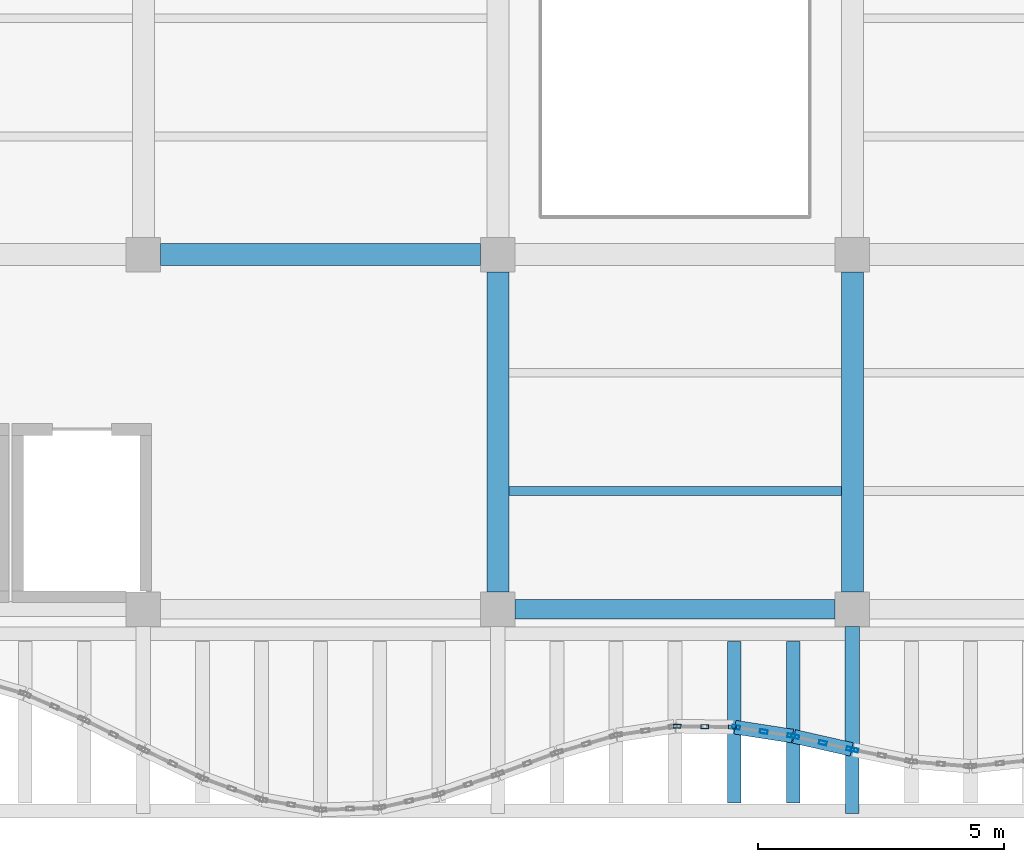
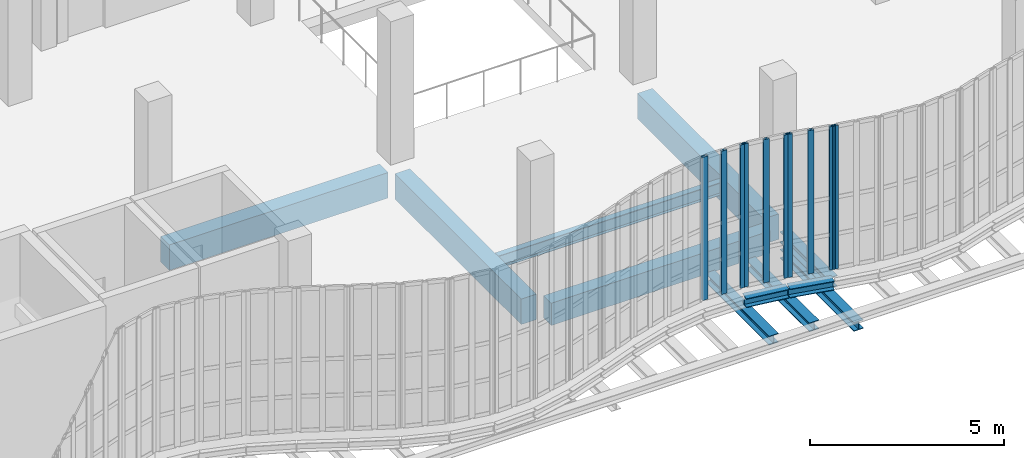
# One storey, part 31 of 108: 11 beams, 10 members, 4 elements without a shape of their own.
"""IFC4 building model written with IfcOpenShell, lengths in metres."""

from ifc_helpers import new_model, si_unit, direction, frame, origin, origin_2d, place, context, subcontext, project, spatial, rectangle, hollow_rectangle, i_section, extrude, material, layer, layer_set, material_profile, profile_set, type_object, element, aggregate, save


model = new_model("IFC4")

# Units and contexts
model_context = context("Model", 3, precision=1e-05, world=origin(), true_north=direction((0.0, 1.0)))
body_context = subcontext(model_context, "Body", "Model", "MODEL_VIEW")
ifc_project = project(units=[si_unit("LENGTHUNIT", "METRE"), si_unit("AREAUNIT", "SQUARE_METRE"), si_unit("VOLUMEUNIT", "CUBIC_METRE"), si_unit("PLANEANGLEUNIT", "RADIAN"), si_unit("MASSUNIT", "GRAM", prefix="KILO"), si_unit("THERMODYNAMICTEMPERATUREUNIT", "KELVIN"), si_unit("POWERUNIT", "WATT")], contexts=[model_context])

# Site, building, storey
site_placement = place(None, origin())
site = spatial("IfcSite", under=ifc_project, at=site_placement, CompositionType="ELEMENT")
building_placement = place(site_placement, origin())
building = spatial("IfcBuilding", under=site, at=building_placement, Name="Kaldorven Railside Theatre", CompositionType="ELEMENT")
storey_placement = place(building_placement, frame((0.0, 0.0, 5.39990234375)))
storey = spatial("IfcBuildingStorey", under=building, at=storey_placement, Name="L01", CompositionType="ELEMENT", Elevation=5.39990234375)

# Beams
ifc_material_1 = material(Name="Steel S355", Category="steel")
ifc_material_profile_1 = material_profile(ifc_material_1, i_section(OverallWidth=0.280029296875, OverallDepth=0.280029296875, WebThickness=0.010498046875, FlangeThickness=0.01806640625, at=origin_2d()), Name="HEB 280")
ifc_profile_set_1 = profile_set([ifc_material_profile_1], Name="Steel S355")
beam_type_1 = type_object("IfcBeamType", Name="BM-HEB280", PredefinedType="SPANDREL", material=ifc_profile_set_1)
beam_1_placement = place(storey_placement, frame((87.199951171875, 15.050048828125, -1.0), z_axis=(0.0, 1.0, 0.0), x_axis=(-1.0, 0.0, 0.0)))
element("IfcBeam", 1, at=beam_1_placement, inside=storey, type_object=beam_type_1, Name="L01 Sinusoidal Lower Cantilever Girder FOB-K007", PredefinedType="SPANDREL", context=body_context, shape_type="SweptSolid", body=[
    extrude(i_section(OverallWidth=0.280029296875, OverallDepth=0.280029296875, WebThickness=0.010498046875, FlangeThickness=0.01806640625, at=origin_2d()), origin(), (0.0, 0.0, 1.0), 3.800048828125),
])
beam_2_placement = place(storey_placement, frame((84.814697265625, 16.80224609375, -0.43994140625), z_axis=(0.988233068562, -0.152955556294, 0.0), x_axis=(0.152955556294, 0.988233068562, 0.0)))
element("IfcBeam", 2, at=beam_2_placement, inside=storey, type_object=beam_type_1, Name="L01 Sinusoidal Flute Edge Spandrel FSB-041", PredefinedType="SPANDREL", context=body_context, shape_type="SweptSolid", body=[
    extrude(i_section(OverallWidth=0.280029296875, OverallDepth=0.280029296875, WebThickness=0.010498046875, FlangeThickness=0.01806640625, at=origin_2d()), origin(), (0.0, 0.0, 1.0), 1.184326171875),
])
beam_3_placement = place(storey_placement, frame((84.800048828125, 15.260009765625, -0.719970703125), z_axis=(0.0, 1.0, 0.0), x_axis=(-1.0, 0.0, 0.0)))
element("IfcBeam", 3, at=beam_3_placement, inside=storey, type_object=beam_type_1, Name="L01 Sinusoidal Diaphragm Rib Outrigger FOB-M041", PredefinedType="SPANDREL", context=body_context, shape_type="SweptSolid", body=[
    extrude(i_section(OverallWidth=0.280029296875, OverallDepth=0.280029296875, WebThickness=0.010498046875, FlangeThickness=0.01806640625, at=origin_2d()), origin(), (0.0, 0.0, 1.0), 3.280029296875),
])
beam_4_placement = place(storey_placement, frame((86.0146484375, 16.615478515625, -0.43994140625), z_axis=(0.975342220992, -0.220697874823, 0.0), x_axis=(0.220697874823, 0.975342220992, 0.0)))
element("IfcBeam", 4, at=beam_4_placement, inside=storey, type_object=beam_type_1, Name="L01 Sinusoidal Flute Edge Spandrel FSB-042", PredefinedType="SPANDREL", context=body_context, shape_type="SweptSolid", body=[
    extrude(i_section(OverallWidth=0.280029296875, OverallDepth=0.280029296875, WebThickness=0.010498046875, FlangeThickness=0.01806640625, at=origin_2d()), origin(), (0.0, 0.0, 1.0), 1.2001953125),
])
beam_5_placement = place(storey_placement, frame((86.0, 15.260009765625, -0.719970703125), z_axis=(0.0, 1.0, 0.0), x_axis=(-1.0, 0.0, 0.0)))
element("IfcBeam", 5, at=beam_5_placement, inside=storey, type_object=beam_type_1, Name="L01 Sinusoidal Diaphragm Rib Outrigger FOB-M042", PredefinedType="SPANDREL", context=body_context, shape_type="SweptSolid", body=[
    extrude(i_section(OverallWidth=0.280029296875, OverallDepth=0.280029296875, WebThickness=0.010498046875, FlangeThickness=0.01806640625, at=origin_2d()), origin(), (0.0, 0.0, 1.0), 3.280029296875),
])
ifc_material_profile_2 = material_profile(ifc_material_1, i_section(OverallWidth=0.300048828125, OverallDepth=0.340087890625, WebThickness=0.011962890625, FlangeThickness=0.021484375, at=origin_2d()), Name="HEB 340")
ifc_profile_set_2 = profile_set([ifc_material_profile_2], Name="Steel S355")
beam_type_2 = type_object("IfcBeamType", Name="BM-HEB340", PredefinedType="SPANDREL", material=ifc_profile_set_2)
beam_6_placement = place(storey_placement, frame((87.199951171875, 16.4072265625, -0.469970703125), z_axis=(0.0, 1.0, 0.0), x_axis=(-1.0, 0.0, 0.0)))
element("IfcBeam", 6, at=beam_6_placement, inside=storey, type_object=beam_type_2, Name="L01 Sinusoidal Veil Outrigger FOB-1087", PredefinedType="SPANDREL", context=body_context, shape_type="SweptSolid", body=[
    extrude(i_section(OverallWidth=0.300048828125, OverallDepth=0.340087890625, WebThickness=0.011962890625, FlangeThickness=0.021484375, at=origin_2d()), origin(), (0.0, 0.0, 1.0), 2.44287109375),
])
ifc_material_profile_3 = material_profile(ifc_material_1, i_section(OverallWidth=0.179931640625, OverallDepth=0.39990234375, WebThickness=0.008544921875, FlangeThickness=0.013427734375, at=origin_2d()), Name="IPE 400")
ifc_profile_set_3 = profile_set([ifc_material_profile_3], Name="Steel S355")
beam_type_3 = type_object("IfcBeamType", Name="BM-IPE400", PredefinedType="JOIST", material=ifc_profile_set_3)
beam_7_placement = place(storey_placement, frame((80.22509765625, 21.60009765625, -0.5), z_axis=(1.0, 0.0, 0.0), x_axis=(0.0, 1.0, 0.0)))
element("IfcBeam", 7, at=beam_7_placement, inside=storey, type_object=beam_type_3, Name="L01 Secondary Floor Joist JG-L01-080-0216", PredefinedType="JOIST", context=body_context, shape_type="SweptSolid", body=[
    extrude(i_section(OverallWidth=0.179931640625, OverallDepth=0.39990234375, WebThickness=0.008544921875, FlangeThickness=0.013427734375, at=origin_2d()), origin(), (0.0, 0.0, 1.0), 6.75),
])
ifc_material_2 = material(Name="Concrete C40/50", Category="concrete")
ifc_material_profile_4 = material_profile(ifc_material_2, rectangle(XDim=0.39990234375, YDim=0.699951171875, at=origin_2d()), Name="RC 400x700")
ifc_profile_set_4 = profile_set([ifc_material_profile_4], Name="Concrete C40/50")
beam_type_4 = type_object("IfcBeamType", Name="BM-RC400x700", PredefinedType="BEAM", material=ifc_profile_set_4)
beam_8_placement = place(storey_placement, frame((80.35009765625, 19.199951171875, -0.64990234375), z_axis=(1.0, 0.0, 0.0), x_axis=(0.0, 1.0, 0.0)))
element("IfcBeam", 8, at=beam_8_placement, inside=storey, type_object=beam_type_4, Name="L01 Girder BGX-L01-080-019", PredefinedType="BEAM", context=body_context, shape_type="SweptSolid", body=[
    extrude(rectangle(XDim=0.39990234375, YDim=0.699951171875, at=origin_2d()), origin(), (0.0, 0.0, 1.0), 6.5),
])
ifc_material_profile_5 = material_profile(ifc_material_2, rectangle(XDim=0.449951171875, YDim=0.800048828125, at=origin_2d()), Name="RC 450x800")
ifc_profile_set_5 = profile_set([ifc_material_profile_5], Name="Concrete C40/50")
beam_type_5 = type_object("IfcBeamType", Name="BM-RC450x800", PredefinedType="BEAM", material=ifc_profile_set_5)
for number, where, z_axis, x_axis, name in (
    (9, (80.0, 19.550048828125, -0.699951171875), (0.0, 1.0, 0.0), (-1.0, 0.0, 0.0), "L01 Girder BGY-L01-080-019-72"),
    (10, (87.199951171875, 19.550048828125, -0.699951171875), (0.0, 1.0, 0.0), (-1.0, 0.0, 0.0), "L01 Girder BGY-L01-087-019-72"),
    (11, (73.14990234375, 26.39990234375, -0.699951171875), (1.0, 0.0, 0.0), (0.0, 1.0, 0.0), "L01 Girder BGX-L01-072-026"),
):
    element("IfcBeam", number, at=place(storey_placement, frame(where, z_axis=z_axis, x_axis=x_axis)), inside=storey, type_object=beam_type_5, Name=name, PredefinedType="BEAM", context=body_context, shape_type="SweptSolid", body=[
        extrude(rectangle(XDim=0.449951171875, YDim=0.800048828125, at=origin_2d()), origin(), (0.0, 0.0, 1.0), 6.5),
    ])

# Curtain wall, members
ifc_material_3 = material(Name="Low-E laminated solar-control glass", Category="glass")
ifc_layer_1 = layer(ifc_material_3, 0.159912109375, Name="Low-E laminated solar-control glass")
ifc_layer_set_1 = layer_set([ifc_layer_1], Name="Low-E laminated solar-control glass")
curtain_wall_type_1 = type_object("IfcCurtainWallType", Name="CWT-03", PredefinedType="USERDEFINED", material=ifc_layer_set_1)
curtain_wall_1_placement = place(storey_placement, origin())
curtain_wall_1 = element("IfcCurtainWall", 12, at=curtain_wall_1_placement, inside=storey, type_object=curtain_wall_type_1, Name="Sinusoidal Fluted Curtain Wall CW-L01-S40", ObjectType="FLUTED GLAZING", PredefinedType="USERDEFINED")
ifc_material_4 = material(Name="Anodised bronze aluminium", Category="aluminium")
ifc_material_profile_6 = material_profile(ifc_material_4, hollow_rectangle(XDim=0.080078125, YDim=0.159912109375, WallThickness=0.00634765625, at=origin_2d()), Name="RHS 160x80x6.3")
ifc_profile_set_6 = profile_set([ifc_material_profile_6], Name="Anodised bronze aluminium")
member_type = type_object("IfcMemberType", Name="CWM-160", PredefinedType="MULLION", material=ifc_profile_set_6)
member_1_placement = place(storey_placement, frame((83.639892578125, 16.820556640625, 0.0), z_axis=(0.0, 0.0, 1.0), x_axis=(0.013832009936, 0.999904333174, 0.0)))
member_1 = element("IfcMember", 13, at=member_1_placement, type_object=member_type, Name="CW-L01-S40 mullion 1", PredefinedType="MULLION", context=body_context, shape_type="SweptSolid", body=[
    extrude(hollow_rectangle(XDim=0.080078125, YDim=0.159912109375, WallThickness=0.00634765625, at=origin_2d()), origin(), (0.0, 0.0, 1.0), 4.5),
])
member_2_placement = place(storey_placement, frame((84.199951171875, 16.81298828125, 0.0), z_axis=(0.0, 0.0, 1.0), x_axis=(0.013832009936, 0.999904333174, 0.0)))
member_2 = element("IfcMember", 14, at=member_2_placement, type_object=member_type, Name="CW-L01-S40 mullion 2", PredefinedType="MULLION", context=body_context, shape_type="SweptSolid", body=[
    extrude(hollow_rectangle(XDim=0.080078125, YDim=0.159912109375, WallThickness=0.00634765625, at=origin_2d()), origin(), (0.0, 0.0, 1.0), 4.5),
])
member_3_placement = place(storey_placement, frame((84.760009765625, 16.80517578125, 0.0), z_axis=(0.0, 0.0, 1.0), x_axis=(0.013832009936, 0.999904333174, 0.0)))
member_3 = element("IfcMember", 15, at=member_3_placement, type_object=member_type, Name="CW-L01-S40 mullion 3", PredefinedType="MULLION", context=body_context, shape_type="SweptSolid", body=[
    extrude(hollow_rectangle(XDim=0.080078125, YDim=0.159912109375, WallThickness=0.00634765625, at=origin_2d()), origin(), (0.0, 0.0, 1.0), 4.5),
])
aggregate(curtain_wall_1, [member_1, member_2, member_3])

ifc_layer_2 = layer(ifc_material_3, 0.159912109375, Name="Low-E laminated solar-control glass")
ifc_layer_set_2 = layer_set([ifc_layer_2], Name="Low-E laminated solar-control glass")
curtain_wall_type_2 = type_object("IfcCurtainWallType", Name="CWT-07", PredefinedType="USERDEFINED", material=ifc_layer_set_2)
curtain_wall_2_placement = place(storey_placement, origin())
curtain_wall_2 = element("IfcCurtainWall", 16, at=curtain_wall_2_placement, inside=storey, type_object=curtain_wall_type_2, Name="Sinusoidal Fluted Curtain Wall CW-L01-S41", ObjectType="FLUTED GLAZING", PredefinedType="USERDEFINED")
member_4_placement = place(storey_placement, frame((84.839599609375, 16.798583984375, 0.0), z_axis=(0.0, 0.0, 1.0), x_axis=(0.153010112468, 0.988224622989, 0.0)))
member_4 = element("IfcMember", 17, at=member_4_placement, type_object=member_type, Name="CW-L01-S41 mullion 1", PredefinedType="MULLION", context=body_context, shape_type="SweptSolid", body=[
    extrude(hollow_rectangle(XDim=0.080078125, YDim=0.159912109375, WallThickness=0.00634765625, at=origin_2d()), origin(), (0.0, 0.0, 1.0), 4.5),
])
member_5_placement = place(storey_placement, frame((85.39990234375, 16.711669921875, 0.0), z_axis=(0.0, 0.0, 1.0), x_axis=(0.153010112468, 0.988224622989, 0.0)))
member_5 = element("IfcMember", 18, at=member_5_placement, type_object=member_type, Name="CW-L01-S41 mullion 2", PredefinedType="MULLION", context=body_context, shape_type="SweptSolid", body=[
    extrude(hollow_rectangle(XDim=0.080078125, YDim=0.159912109375, WallThickness=0.00634765625, at=origin_2d()), origin(), (0.0, 0.0, 1.0), 4.5),
])
member_6_placement = place(storey_placement, frame((85.96044921875, 16.625, 0.0), z_axis=(0.0, 0.0, 1.0), x_axis=(0.153010112468, 0.988224622989, 0.0)))
member_6 = element("IfcMember", 19, at=member_6_placement, type_object=member_type, Name="CW-L01-S41 mullion 3", PredefinedType="MULLION", context=body_context, shape_type="SweptSolid", body=[
    extrude(hollow_rectangle(XDim=0.080078125, YDim=0.159912109375, WallThickness=0.00634765625, at=origin_2d()), origin(), (0.0, 0.0, 1.0), 4.5),
])
aggregate(curtain_wall_2, [member_4, member_5, member_6])

ifc_layer_3 = layer(ifc_material_3, 0.159912109375, Name="Low-E laminated solar-control glass")
ifc_layer_set_3 = layer_set([ifc_layer_3], Name="Low-E laminated solar-control glass")
curtain_wall_type_3 = type_object("IfcCurtainWallType", Name="CWT-02", PredefinedType="USERDEFINED", material=ifc_layer_set_3)
curtain_wall_3_placement = place(storey_placement, origin())
curtain_wall_3 = element("IfcCurtainWall", 20, at=curtain_wall_3_placement, inside=storey, type_object=curtain_wall_type_3, Name="Sinusoidal Fluted Curtain Wall CW-L01-S42", ObjectType="FLUTED GLAZING", PredefinedType="USERDEFINED")
member_7_placement = place(storey_placement, frame((86.0390625, 16.60986328125, 0.0), z_axis=(0.0, 0.0, 1.0), x_axis=(0.220672477642, 0.975347967451, 0.0)))
member_7 = element("IfcMember", 21, at=member_7_placement, type_object=member_type, Name="CW-L01-S42 mullion 1", PredefinedType="MULLION", context=body_context, shape_type="SweptSolid", body=[
    extrude(hollow_rectangle(XDim=0.080078125, YDim=0.159912109375, WallThickness=0.00634765625, at=origin_2d()), origin(), (0.0, 0.0, 1.0), 4.5),
])
member_8_placement = place(storey_placement, frame((86.60009765625, 16.483154296875, 0.0), z_axis=(0.0, 0.0, 1.0), x_axis=(0.220672477642, 0.975347967451, 0.0)))
member_8 = element("IfcMember", 22, at=member_8_placement, type_object=member_type, Name="CW-L01-S42 mullion 2", PredefinedType="MULLION", context=body_context, shape_type="SweptSolid", body=[
    extrude(hollow_rectangle(XDim=0.080078125, YDim=0.159912109375, WallThickness=0.00634765625, at=origin_2d()), origin(), (0.0, 0.0, 1.0), 4.5),
])
member_9_placement = place(storey_placement, frame((87.160888671875, 16.356201171875, 0.0), z_axis=(0.0, 0.0, 1.0), x_axis=(0.220672477642, 0.975347967451, 0.0)))
member_9 = element("IfcMember", 23, at=member_9_placement, type_object=member_type, Name="CW-L01-S42 mullion 3", PredefinedType="MULLION", context=body_context, shape_type="SweptSolid", body=[
    extrude(hollow_rectangle(XDim=0.080078125, YDim=0.159912109375, WallThickness=0.00634765625, at=origin_2d()), origin(), (0.0, 0.0, 1.0), 4.5),
])
aggregate(curtain_wall_3, [member_7, member_8, member_9])

# Curtain wall, member
curtain_wall_4_placement = place(storey_placement, origin())
curtain_wall_4 = element("IfcCurtainWall", 24, at=curtain_wall_4_placement, inside=storey, type_object=curtain_wall_type_2, Name="Sinusoidal Fluted Curtain Wall CW-L01-S43", ObjectType="FLUTED GLAZING", PredefinedType="USERDEFINED")
member_10_placement = place(storey_placement, frame((87.2392578125, 16.33935546875, 0.0), z_axis=(0.0, 0.0, 1.0), x_axis=(0.198393134453, 0.980122525097, 0.0)))
member_10 = element("IfcMember", 25, at=member_10_placement, type_object=member_type, Name="CW-L01-S43 mullion 1", PredefinedType="MULLION", context=body_context, shape_type="SweptSolid", body=[
    extrude(hollow_rectangle(XDim=0.080078125, YDim=0.159912109375, WallThickness=0.00634765625, at=origin_2d()), origin(), (0.0, 0.0, 1.0), 4.5),
])
aggregate(curtain_wall_4, [member_10])

save(model, "model.ifc")
